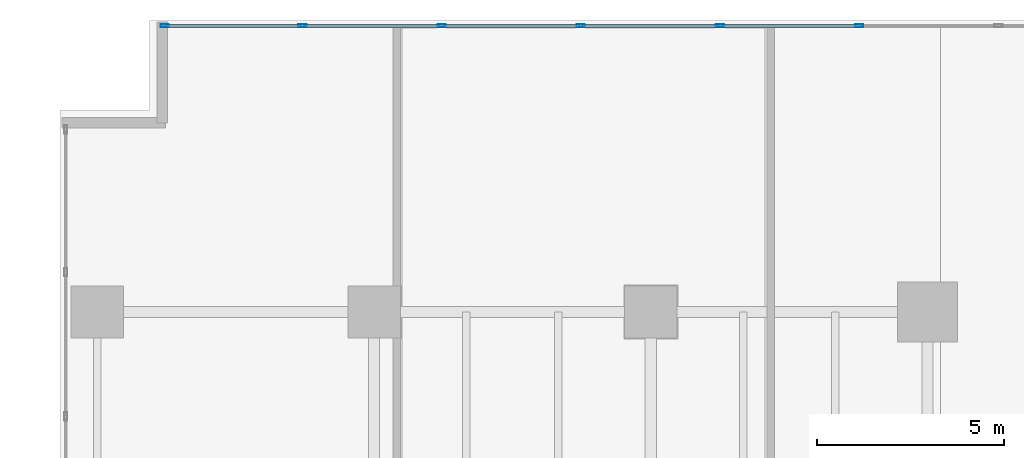
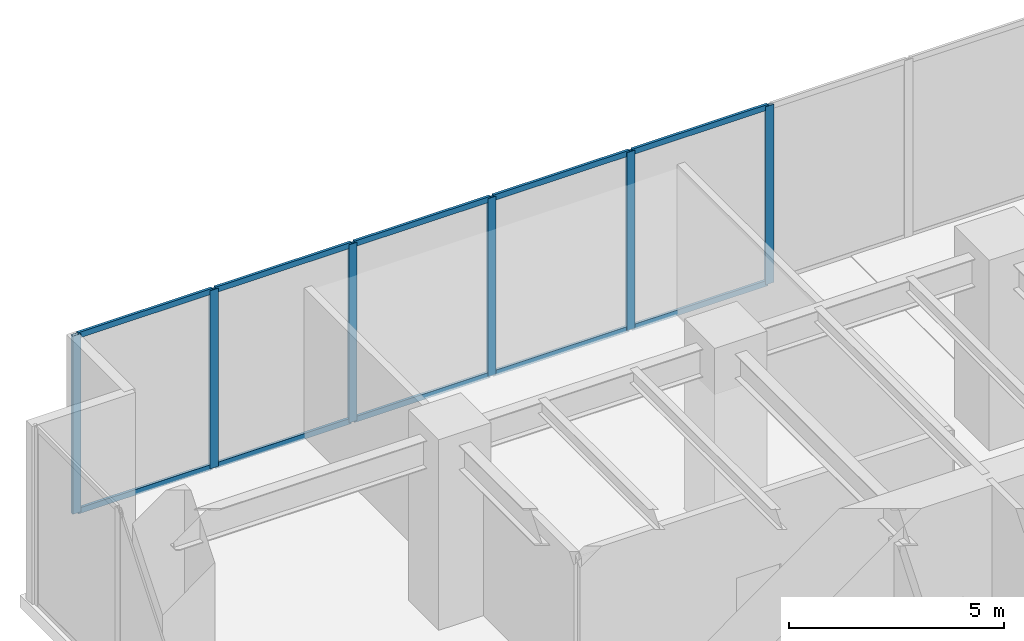
# One storey, part 11 of 28: 16 members, 1 element without a shape of its own.
"""IFC4 building model written with IfcOpenShell, lengths in metres."""

from ifc_helpers import new_model, si_unit, direction, frame, origin, origin_2d, place, context, subcontext, project, spatial, hollow_rectangle, extrude, source, transform, mapped, material, layer, layer_set, material_profile, profile_set, type_object, type_shapes, element, aggregate, save


model = new_model("IFC4")

# Units and contexts
model_context = context("Model", 3, precision=1e-05, world=origin(), true_north=direction((0.0, 1.0)))
body_context = subcontext(model_context, "Body", "Model", "MODEL_VIEW")
ifc_project = project(units=[si_unit("LENGTHUNIT", "METRE"), si_unit("AREAUNIT", "SQUARE_METRE"), si_unit("VOLUMEUNIT", "CUBIC_METRE"), si_unit("PLANEANGLEUNIT", "RADIAN"), si_unit("MASSUNIT", "GRAM", prefix="KILO")], contexts=[model_context])

# Site, building, storey
site_placement = place(None, origin())
site = spatial("IfcSite", under=ifc_project, at=site_placement, CompositionType="ELEMENT")
building_placement = place(site_placement, origin())
building = spatial("IfcBuilding", under=site, at=building_placement, Name="Haelvirn Gate Laboratories", CompositionType="ELEMENT")
storey_placement = place(building_placement, origin())
storey = spatial("IfcBuildingStorey", under=building, at=storey_placement, Name="L01", CompositionType="ELEMENT", Elevation=0.0)

# Curtain wall, members
ifc_material_1 = material(Name="Anodised bronze unitised aluminium & triple low-E glass", Category="aluminium")
ifc_layer = layer(ifc_material_1, 0.18798828125, Name="CW-SYS-1")
ifc_layer_set = layer_set([ifc_layer], Name="Anodised bronze unitised aluminium & triple low-E glass")
curtain_wall_type = type_object("IfcCurtainWallType", Name="CW-SYS-1", PredefinedType="NOTDEFINED", material=ifc_layer_set)
curtain_wall_placement = place(storey_placement, origin())
curtain_wall = element("IfcCurtainWall", 1, at=curtain_wall_placement, inside=storey, type_object=curtain_wall_type, Name="L01 Unitised Curtain Wall CW-L01-NL", PredefinedType="NOTDEFINED")
ifc_material_2 = material(Name="Extruded aluminium 6063-T6 (anodised bronze)", Category="aluminium")
ifc_material_profile_1 = material_profile(ifc_material_2, hollow_rectangle(XDim=0.080078125, YDim=0.219970703125, WallThickness=0.006103515625, at=origin_2d()), Name="CWM-220x80x6")
ifc_profile_set_1 = profile_set([ifc_material_profile_1], Name="Extruded aluminium 6063-T6 (anodised bronze)")
member_type_1 = type_object("IfcMemberType", Name="CWM-T220", PredefinedType="MULLION", material=ifc_profile_set_1)
shared_shape_1 = source(origin(), body_context, "Body", "SweptSolid", [
    extrude(hollow_rectangle(XDim=0.080078125, YDim=0.219970703125, WallThickness=0.006103515625, at=origin_2d()), origin(), (0.0, 0.0, 1.0), 5.050048828125),
])
type_shapes(member_type_1, [shared_shape_1])
member_1_placement = place(storey_placement, frame((1.800048828125, 49.25, 0.0), z_axis=(0.0, 0.0, 1.0), x_axis=(0.0, 1.0, 0.0)))
member_1 = element("IfcMember", 2, at=member_1_placement, type_object=member_type_1, Name="CW1 mullion 1", PredefinedType="MULLION", context=body_context, shape_type="MappedRepresentation", body=[
    mapped(shared_shape_1, transform((0.0, 0.0, 0.0), scale=1.0)),
])
member_2_placement = place(storey_placement, frame((5.48291015625, 49.25, 0.0), z_axis=(0.0, 0.0, 1.0), x_axis=(0.0, 1.0, 0.0)))
member_2 = element("IfcMember", 3, at=member_2_placement, type_object=member_type_1, Name="CW1 mullion 2", PredefinedType="MULLION", context=body_context, shape_type="MappedRepresentation", body=[
    mapped(shared_shape_1, transform((0.0, 0.0, 0.0), scale=1.0)),
])
member_3_placement = place(storey_placement, frame((9.205810546875, 49.25, 0.0), z_axis=(0.0, 0.0, 1.0), x_axis=(0.0, 1.0, 0.0)))
member_3 = element("IfcMember", 4, at=member_3_placement, type_object=member_type_1, Name="CW1 mullion 3", PredefinedType="MULLION", context=body_context, shape_type="MappedRepresentation", body=[
    mapped(shared_shape_1, transform((0.0, 0.0, 0.0), scale=1.0)),
])
member_4_placement = place(storey_placement, frame((12.928466796875, 49.25, 0.0), z_axis=(0.0, 0.0, 1.0), x_axis=(0.0, 1.0, 0.0)))
member_4 = element("IfcMember", 5, at=member_4_placement, type_object=member_type_1, Name="CW1 mullion 4", PredefinedType="MULLION", context=body_context, shape_type="MappedRepresentation", body=[
    mapped(shared_shape_1, transform((0.0, 0.0, 0.0), scale=1.0)),
])
member_5_placement = place(storey_placement, frame((16.6513671875, 49.25, 0.0), z_axis=(0.0, 0.0, 1.0), x_axis=(0.0, 1.0, 0.0)))
member_5 = element("IfcMember", 6, at=member_5_placement, type_object=member_type_1, Name="CW1 mullion 5", PredefinedType="MULLION", context=body_context, shape_type="MappedRepresentation", body=[
    mapped(shared_shape_1, transform((0.0, 0.0, 0.0), scale=1.0)),
])
member_6_placement = place(storey_placement, frame((20.374267578125, 49.25, 0.0), z_axis=(0.0, 0.0, 1.0), x_axis=(0.0, 1.0, 0.0)))
member_6 = element("IfcMember", 7, at=member_6_placement, type_object=member_type_1, Name="CW1 mullion 6", PredefinedType="MULLION", context=body_context, shape_type="MappedRepresentation", body=[
    mapped(shared_shape_1, transform((0.0, 0.0, 0.0), scale=1.0)),
])
ifc_material_profile_2 = material_profile(ifc_material_2, hollow_rectangle(XDim=0.070068359375, YDim=0.159912109375, WallThickness=0.0048828125, at=origin_2d()), Name="CWT-160x70x5")
ifc_profile_set_2 = profile_set([ifc_material_profile_2], Name="Extruded aluminium 6063-T6 (anodised bronze)")
member_type_2 = type_object("IfcMemberType", Name="CWT-T160", PredefinedType="USERDEFINED", material=ifc_profile_set_2)
shared_shape_2 = source(origin(), body_context, "Body", "SweptSolid", [
    extrude(hollow_rectangle(XDim=0.070068359375, YDim=0.159912109375, WallThickness=0.0048828125, at=origin_2d()), origin(), (0.0, 0.0, 1.0), 3.602783203125),
])
member_7_placement = place(storey_placement, frame((1.840087890625, 49.25, 0.034912109375), z_axis=(1.0, 0.0, 0.0), x_axis=(0.0, 1.0, 0.0)))
member_7 = element("IfcMember", 8, at=member_7_placement, type_object=member_type_2, Name="CW1 transom 1.1", ObjectType="TRANSOM", PredefinedType="USERDEFINED", context=body_context, shape_type="MappedRepresentation", body=[
    mapped(shared_shape_2, transform((0.0, 0.0, 0.0), scale=1.0)),
])
member_8_placement = place(storey_placement, frame((1.840087890625, 49.25, 5.014892578125), z_axis=(1.0, 0.0, 0.0), x_axis=(0.0, 1.0, 0.0)))
member_8 = element("IfcMember", 9, at=member_8_placement, type_object=member_type_2, Name="CW1 transom 1.2", ObjectType="TRANSOM", PredefinedType="USERDEFINED", context=body_context, shape_type="MappedRepresentation", body=[
    mapped(shared_shape_2, transform((0.0, 0.0, 0.0), scale=1.0)),
])
shared_shape_3 = source(origin(), body_context, "Body", "SweptSolid", [
    extrude(hollow_rectangle(XDim=0.070068359375, YDim=0.159912109375, WallThickness=0.0048828125, at=origin_2d()), origin(), (0.0, 0.0, 1.0), 3.642822265625),
])
member_9_placement = place(storey_placement, frame((5.52294921875, 49.25, 0.034912109375), z_axis=(1.0, 0.0, 0.0), x_axis=(0.0, 1.0, 0.0)))
member_9 = element("IfcMember", 10, at=member_9_placement, type_object=member_type_2, Name="CW1 transom 2.1", ObjectType="TRANSOM", PredefinedType="USERDEFINED", context=body_context, shape_type="MappedRepresentation", body=[
    mapped(shared_shape_3, transform((0.0, 0.0, 0.0), scale=1.0)),
])
member_10_placement = place(storey_placement, frame((5.52294921875, 49.25, 5.014892578125), z_axis=(1.0, 0.0, 0.0), x_axis=(0.0, 1.0, 0.0)))
member_10 = element("IfcMember", 11, at=member_10_placement, type_object=member_type_2, Name="CW1 transom 2.2", ObjectType="TRANSOM", PredefinedType="USERDEFINED", context=body_context, shape_type="MappedRepresentation", body=[
    mapped(shared_shape_3, transform((0.0, 0.0, 0.0), scale=1.0)),
])
member_11_placement = place(storey_placement, frame((12.968505859375, 49.25, 0.034912109375), z_axis=(1.0, 0.0, 0.0), x_axis=(0.0, 1.0, 0.0)))
member_11 = element("IfcMember", 12, at=member_11_placement, type_object=member_type_2, Name="CW1 transom 4.1", ObjectType="TRANSOM", PredefinedType="USERDEFINED", context=body_context, shape_type="MappedRepresentation", body=[
    mapped(shared_shape_3, transform((0.0, 0.0, 0.0), scale=1.0)),
])
member_12_placement = place(storey_placement, frame((12.968505859375, 49.25, 5.014892578125), z_axis=(1.0, 0.0, 0.0), x_axis=(0.0, 1.0, 0.0)))
member_12 = element("IfcMember", 13, at=member_12_placement, type_object=member_type_2, Name="CW1 transom 4.2", ObjectType="TRANSOM", PredefinedType="USERDEFINED", context=body_context, shape_type="MappedRepresentation", body=[
    mapped(shared_shape_3, transform((0.0, 0.0, 0.0), scale=1.0)),
])
member_13_placement = place(storey_placement, frame((16.69140625, 49.25, 0.034912109375), z_axis=(1.0, 0.0, 0.0), x_axis=(0.0, 1.0, 0.0)))
member_13 = element("IfcMember", 14, at=member_13_placement, type_object=member_type_2, Name="CW1 transom 5.1", ObjectType="TRANSOM", PredefinedType="USERDEFINED", context=body_context, shape_type="MappedRepresentation", body=[
    mapped(shared_shape_3, transform((0.0, 0.0, 0.0), scale=1.0)),
])
member_14_placement = place(storey_placement, frame((16.69140625, 49.25, 5.014892578125), z_axis=(1.0, 0.0, 0.0), x_axis=(0.0, 1.0, 0.0)))
member_14 = element("IfcMember", 15, at=member_14_placement, type_object=member_type_2, Name="CW1 transom 5.2", ObjectType="TRANSOM", PredefinedType="USERDEFINED", context=body_context, shape_type="MappedRepresentation", body=[
    mapped(shared_shape_3, transform((0.0, 0.0, 0.0), scale=1.0)),
])
shared_shape_4 = source(origin(), body_context, "Body", "SweptSolid", [
    extrude(hollow_rectangle(XDim=0.070068359375, YDim=0.159912109375, WallThickness=0.0048828125, at=origin_2d()), origin(), (0.0, 0.0, 1.0), 3.64306640625),
])
type_shapes(member_type_2, [shared_shape_2, shared_shape_3, shared_shape_4])
member_15_placement = place(storey_placement, frame((9.24560546875, 49.25, 0.034912109375), z_axis=(1.0, 0.0, 0.0), x_axis=(0.0, 1.0, 0.0)))
member_15 = element("IfcMember", 16, at=member_15_placement, type_object=member_type_2, Name="CW1 transom 3.1", ObjectType="TRANSOM", PredefinedType="USERDEFINED", context=body_context, shape_type="MappedRepresentation", body=[
    mapped(shared_shape_4, transform((0.0, 0.0, 0.0), scale=1.0)),
])
member_16_placement = place(storey_placement, frame((9.24560546875, 49.25, 5.014892578125), z_axis=(1.0, 0.0, 0.0), x_axis=(0.0, 1.0, 0.0)))
member_16 = element("IfcMember", 17, at=member_16_placement, type_object=member_type_2, Name="CW1 transom 3.2", ObjectType="TRANSOM", PredefinedType="USERDEFINED", context=body_context, shape_type="MappedRepresentation", body=[
    mapped(shared_shape_4, transform((0.0, 0.0, 0.0), scale=1.0)),
])
aggregate(curtain_wall, [member_1, member_2, member_3, member_4, member_5, member_6, member_7, member_8, member_9, member_10, member_15, member_16, member_11, member_12, member_13, member_14])

save(model, "model.ifc")
